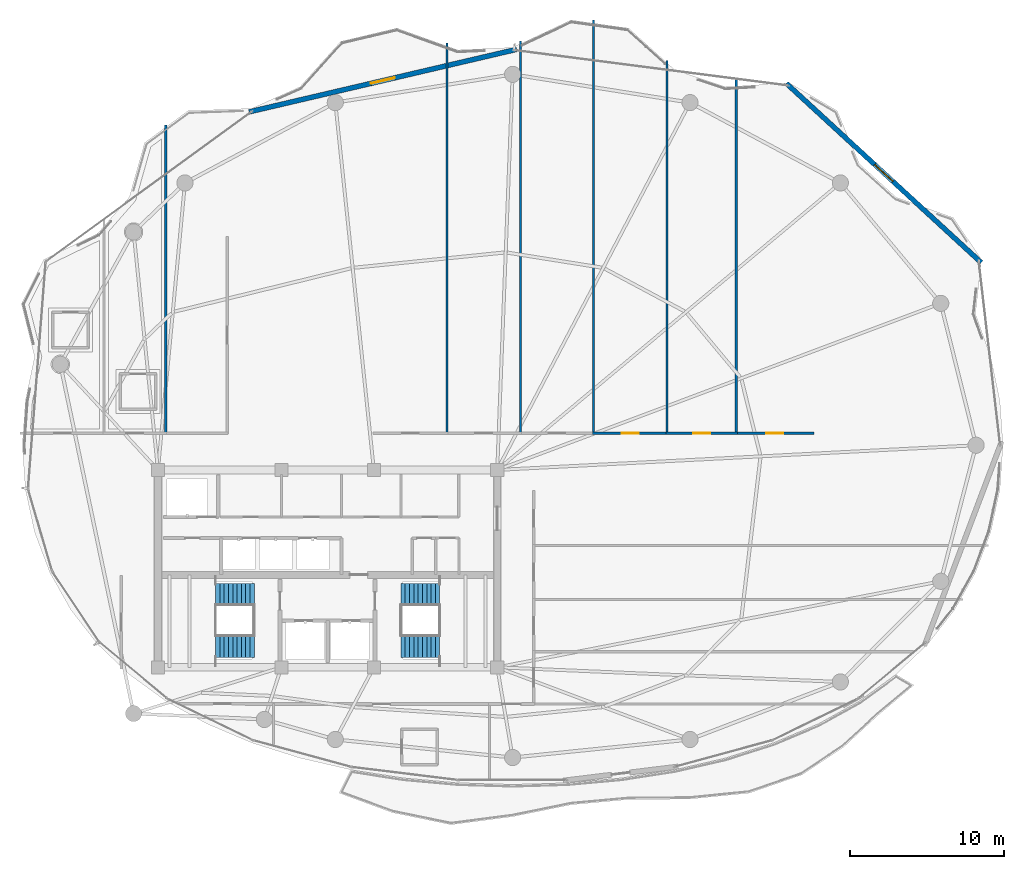
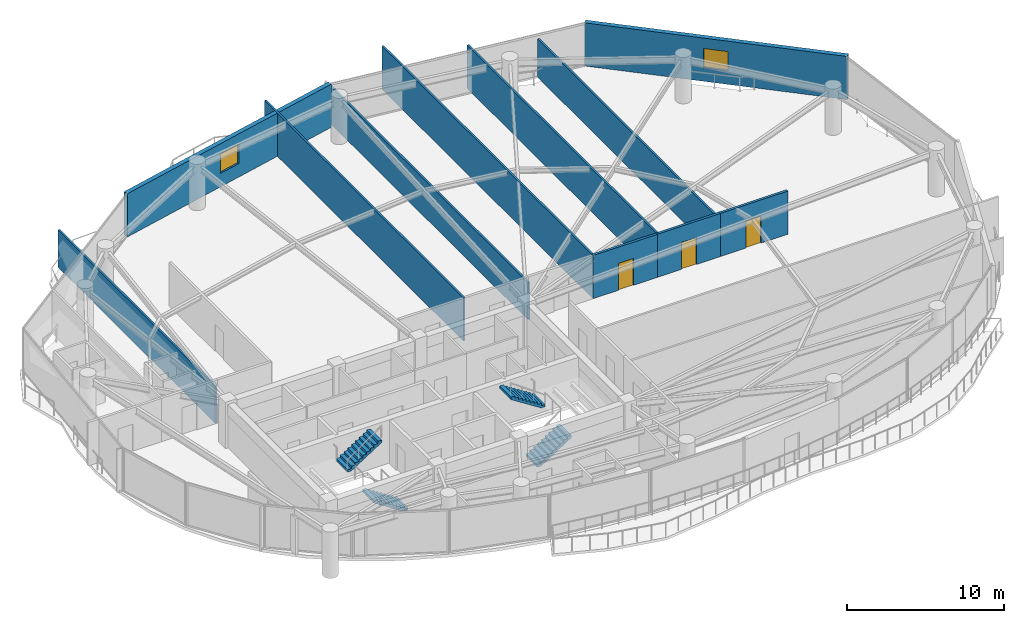
# One storey, part 27 of 31: 11 walls, 4 stair flights, 3 doors, 2 windows, 5 openings, 2 elements without a shape of their own.
"""IFC4 building model written with IfcOpenShell, lengths in metres."""

from ifc_helpers import new_model, si_unit, direction, frame, frame_2d, origin, place, context, subcontext, project, spatial, polyline, rectangle, outline, extrude, material, layer, layer_set, type_object, element, fill, aggregate, save


model = new_model("IFC4")

# Units and contexts
model_context = context("Model", 3, precision=1e-05, world=origin(), true_north=direction((0.0, 1.0)))
body_context = subcontext(model_context, "Body", "Model", "MODEL_VIEW")
ifc_project = project(units=[si_unit("LENGTHUNIT", "METRE"), si_unit("AREAUNIT", "SQUARE_METRE"), si_unit("VOLUMEUNIT", "CUBIC_METRE"), si_unit("PLANEANGLEUNIT", "RADIAN"), si_unit("MASSUNIT", "GRAM", prefix="KILO")], contexts=[model_context])

# Site, building, storey
site_placement = place(None, origin())
site = spatial("IfcSite", under=ifc_project, at=site_placement, CompositionType="ELEMENT")
building_placement = place(site_placement, origin())
building = spatial("IfcBuilding", under=site, at=building_placement, Name="Kazevale Care Tower and Concert Hall", CompositionType="ELEMENT")
storey_placement = place(building_placement, frame((0.0, 0.0, 210.0)))
storey = spatial("IfcBuildingStorey", under=building, at=storey_placement, Name="L55", CompositionType="ELEMENT", Elevation=210.0)

# Walls
ifc_material_1 = material(Name="Acoustic Gypsum on Steel Stud", Category="steel")
ifc_layer_1 = layer(ifc_material_1, 0.139892578125)
ifc_layer_set_1 = layer_set([ifc_layer_1], Name="Acoustic Gypsum on Steel Stud")
wall_type_1 = type_object("IfcWallType", Name="Acoustic Care & Suite Partition 140", PredefinedType="PARTITIONING", material=ifc_layer_set_1)
wall_1_placement = place(storey_placement, frame((22.5, 58.781982421875, 0.0), z_axis=(0.0, 0.0, 1.0), x_axis=(0.0, -1.0, 0.0)))
element("IfcWall", 1, at=wall_1_placement, inside=storey, type_object=wall_type_1, Name="wall:L55:auto_020", PredefinedType="PARTITIONING", context=body_context, shape_type="SweptSolid", body=[
    extrude(rectangle(XDim=20.036865234375, YDim=0.139892578125, at=frame_2d((10.0185546875, 0.0))), origin(), (0.0, 0.0, 1.0), 2.889892578125),
])
wall_2_placement = place(storey_placement, frame((40.75, 64.073974609375, 0.0), z_axis=(0.0, 0.0, 1.0), x_axis=(0.0, -1.0, 0.0)))
element("IfcWall", 2, at=wall_2_placement, inside=storey, type_object=wall_type_1, Name="wall:L55:auto_021", PredefinedType="PARTITIONING", context=body_context, shape_type="SweptSolid", body=[
    extrude(rectangle(XDim=25.328857421875, YDim=0.139892578125, at=frame_2d((12.66455078125, 0.0))), origin(), (0.0, 0.0, 1.0), 3.360107421875),
])
wall_3_placement = place(storey_placement, frame((45.5, 64.216064453125, 0.0), z_axis=(0.0, 0.0, 1.0), x_axis=(0.0, -1.0, 0.0)))
element("IfcWall", 3, at=wall_3_placement, inside=storey, type_object=wall_type_1, Name="wall:L55:auto_022", PredefinedType="PARTITIONING", context=body_context, shape_type="SweptSolid", body=[
    extrude(rectangle(XDim=25.470947265625, YDim=0.139892578125, at=frame_2d((12.7353515625, 0.0))), origin(), (0.0, 0.0, 1.0), 2.889892578125),
])
wall_4_placement = place(storey_placement, frame((50.25, 65.568115234375, 0.0), z_axis=(0.0, 0.0, 1.0), x_axis=(0.0, -1.0, 0.0)))
element("IfcWall", 4, at=wall_4_placement, inside=storey, type_object=wall_type_1, Name="wall:L55:auto_023", PredefinedType="PARTITIONING", context=body_context, shape_type="SweptSolid", body=[
    extrude(rectangle(XDim=26.822998046875, YDim=0.139892578125, at=frame_2d((13.41162109375, 0.0))), origin(), (0.0, 0.0, 1.0), 3.360107421875),
])
wall_5_placement = place(storey_placement, frame((55.0, 62.944091796875, 0.0), z_axis=(0.0, 0.0, 1.0), x_axis=(0.0, -1.0, 0.0)))
element("IfcWall", 5, at=wall_5_placement, inside=storey, type_object=wall_type_1, Name="wall:L55:auto_024", PredefinedType="PARTITIONING", context=body_context, shape_type="SweptSolid", body=[
    extrude(rectangle(XDim=24.198974609375, YDim=0.139892578125, at=frame_2d((12.099609375, 0.0))), origin(), (0.0, 0.0, 1.0), 3.360107421875),
])
wall_6_placement = place(storey_placement, frame((59.5, 61.744873046875, 0.0), z_axis=(0.0, 0.0, 1.0), x_axis=(0.0, -1.0, 0.0)))
element("IfcWall", 6, at=wall_6_placement, inside=storey, type_object=wall_type_1, Name="wall:L55:auto_025", PredefinedType="PARTITIONING", context=body_context, shape_type="SweptSolid", body=[
    extrude(rectangle(XDim=22.999755859375, YDim=0.139892578125, at=frame_2d((11.5, 0.0))), origin(), (0.0, 0.0, 1.0), 2.99609375),
])

# Wall, opening, door
ifc_material_2 = material(Name="Concrete C40 and Acoustic Gypsum", Category="concrete")
ifc_layer_2 = layer(ifc_material_2, 0.179931640625)
ifc_layer_set_2 = layer_set([ifc_layer_2], Name="Concrete C40 and Acoustic Gypsum")
wall_type_2 = type_object("IfcWallType", Name="Fire-Rated Corridor & Party Wall 180", PredefinedType="PARTITIONING", material=ifc_layer_set_2)
wall_7_placement = place(storey_placement, frame((50.18505859375, 38.77490234375, 0.0), z_axis=(0.0, 0.0, 1.0), x_axis=(1.0, 0.0, 0.0)))
wall_7 = element("IfcWall", 7, at=wall_7_placement, inside=storey, type_object=wall_type_2, Name="wall:L55:auto_008", PredefinedType="PARTITIONING", context=body_context, shape_type="SweptSolid", body=[
    extrude(rectangle(XDim=4.8798828125, YDim=0.179931640625, at=frame_2d((2.43994140625, 0.0))), origin(), (0.0, 0.0, 1.0), 3.360107421875),
])
opening_1_placement = place(wall_7_placement, frame((1.889892578125, 0.0, 0.0)))
opening_1 = element("IfcOpeningElement", 8, at=opening_1_placement, cuts=wall_7, Name="Opening ID-1100", PredefinedType="OPENING", context=body_context, shape_type="SweptSolid", body=[
    extrude(rectangle(XDim=1.10009765625, YDim=2.10009765625, at=frame_2d((0.550048828125, 1.050048828125))), frame((0.0, 0.099853515625, 0.0), z_axis=(0.0, -1.0, 0.0), x_axis=(1.0, 0.0, 0.0)), (0.0, 0.0, 1.0), 0.199951171875),
])
ifc_material_3 = material(Name="Oak Timber Fire Leaf", Category="wood")
door_type = type_object("IfcDoorType", Name="Care Bedroom Accessible Door 1100x2100", OperationType="NOTDEFINED", PredefinedType="DOOR", material=ifc_material_3)
door_1_placement = place(opening_1_placement, origin())
door_1 = element("IfcDoor", 9, at=door_1_placement, inside=storey, type_object=door_type, Name="door:L55:ad_008", OperationType="SINGLE_SWING_LEFT", OverallHeight=2.10009765625, OverallWidth=1.10009765625, PredefinedType="DOOR", context=body_context, shape_type="SweptSolid", body=[
    extrude(rectangle(XDim=1.10009765625, YDim=2.10009765625, at=frame_2d((0.550048828125, 1.050048828125))), frame((0.0, 0.02490234375, 0.0), z_axis=(0.0, -1.0, 0.0), x_axis=(1.0, 0.0, 0.0)), (0.0, 0.0, 1.0), 0.050048828125),
])
fill(opening_1, door_1)

wall_8_placement = place(storey_placement, frame((54.93505859375, 38.77490234375, 0.0), z_axis=(0.0, 0.0, 1.0), x_axis=(1.0, 0.0, 0.0)))
wall_8 = element("IfcWall", 10, at=wall_8_placement, inside=storey, type_object=wall_type_2, Name="wall:L55:auto_009", PredefinedType="PARTITIONING", context=body_context, shape_type="SweptSolid", body=[
    extrude(rectangle(XDim=4.6298828125, YDim=0.179931640625, at=frame_2d((2.31494140625, 0.0))), origin(), (0.0, 0.0, 1.0), 3.360107421875),
])
opening_2_placement = place(wall_8_placement, frame((1.764892578125, 0.0, 0.0)))
opening_2 = element("IfcOpeningElement", 11, at=opening_2_placement, cuts=wall_8, Name="Opening ID-1100", PredefinedType="OPENING", context=body_context, shape_type="SweptSolid", body=[
    extrude(rectangle(XDim=1.10009765625, YDim=2.10009765625, at=frame_2d((0.550048828125, 1.050048828125))), frame((0.0, 0.099853515625, 0.0), z_axis=(0.0, -1.0, 0.0), x_axis=(1.0, 0.0, 0.0)), (0.0, 0.0, 1.0), 0.199951171875),
])
door_2_placement = place(opening_2_placement, origin())
door_2 = element("IfcDoor", 12, at=door_2_placement, inside=storey, type_object=door_type, Name="door:L55:ad_009", OperationType="SINGLE_SWING_LEFT", OverallHeight=2.10009765625, OverallWidth=1.10009765625, PredefinedType="DOOR", context=body_context, shape_type="SweptSolid", body=[
    extrude(rectangle(XDim=1.10009765625, YDim=2.10009765625, at=frame_2d((0.550048828125, 1.050048828125))), frame((0.0, 0.02490234375, 0.0), z_axis=(0.0, -1.0, 0.0), x_axis=(1.0, 0.0, 0.0)), (0.0, 0.0, 1.0), 0.050048828125),
])
fill(opening_2, door_2)

wall_9_placement = place(storey_placement, frame((59.43505859375, 38.77490234375, 0.0), z_axis=(0.0, 0.0, 1.0), x_axis=(1.0, 0.0, 0.0)))
wall_9 = element("IfcWall", 13, at=wall_9_placement, inside=storey, type_object=wall_type_2, Name="wall:L55:auto_010", PredefinedType="PARTITIONING", context=body_context, shape_type="SweptSolid", body=[
    extrude(rectangle(XDim=5.094970703125, YDim=0.179931640625, at=frame_2d((2.54736328125, 0.0))), origin(), (0.0, 0.0, 1.0), 3.360107421875),
])
opening_3_placement = place(wall_9_placement, frame((1.9970703125, 0.0, 0.0)))
opening_3 = element("IfcOpeningElement", 14, at=opening_3_placement, cuts=wall_9, Name="Opening ID-1100", PredefinedType="OPENING", context=body_context, shape_type="SweptSolid", body=[
    extrude(rectangle(XDim=1.10009765625, YDim=2.10009765625, at=frame_2d((0.550048828125, 1.050048828125))), frame((0.0, 0.099853515625, 0.0), z_axis=(0.0, -1.0, 0.0), x_axis=(1.0, 0.0, 0.0)), (0.0, 0.0, 1.0), 0.199951171875),
])
door_3_placement = place(opening_3_placement, origin())
door_3 = element("IfcDoor", 15, at=door_3_placement, inside=storey, type_object=door_type, Name="door:L55:ad_010", OperationType="SINGLE_SWING_LEFT", OverallHeight=2.10009765625, OverallWidth=1.10009765625, PredefinedType="DOOR", context=body_context, shape_type="SweptSolid", body=[
    extrude(rectangle(XDim=1.10009765625, YDim=2.10009765625, at=frame_2d((0.550048828125, 1.050048828125))), frame((0.0, 0.02490234375, 0.0), z_axis=(0.0, -1.0, 0.0), x_axis=(1.0, 0.0, 0.0)), (0.0, 0.0, 1.0), 0.050048828125),
])
fill(opening_3, door_3)

# Wall, opening, window
ifc_material_4 = material(Name="Concrete C40 with Honed Limestone Cladding", Category="masonry")
ifc_layer_3 = layer(ifc_material_4, 0.320068359375)
ifc_layer_set_3 = layer_set([ifc_layer_3], Name="Concrete C40 with Honed Limestone Cladding")
wall_type_3 = type_object("IfcWallType", Name="Tower Honed Limestone Spandrel Wall 320", PredefinedType="STANDARD", material=ifc_layer_set_3)
wall_10_placement = place(storey_placement, frame((27.908935546875, 59.616943359375, 0.0), z_axis=(0.0, 0.0, 1.0), x_axis=(0.973753606594, 0.227604731158, 0.0)))
wall_10 = element("IfcWall", 16, at=wall_10_placement, inside=storey, type_object=wall_type_3, Name="wall:L55:cbox:15", PredefinedType="STANDARD", context=body_context, shape_type="SweptSolid", body=[
    extrude(rectangle(XDim=17.816650390625, YDim=0.320068359375, at=frame_2d((8.908203125, 0.0))), origin(), (0.0, 0.0, 1.0), 3.360107421875),
])
opening_4_placement = place(wall_10_placement, frame((8.10888671875, 0.0, 1.050048828125)))
opening_4 = element("IfcOpeningElement", 17, at=opening_4_placement, cuts=wall_10, Name="Opening WIN-1", PredefinedType="OPENING", context=body_context, shape_type="SweptSolid", body=[
    extrude(rectangle(XDim=1.60009765625, YDim=1.5, at=frame_2d((0.800048828125, 0.75))), frame((0.0, 0.169921875, 0.0), z_axis=(0.0, -1.0, 0.0), x_axis=(1.0, 0.0, 0.0)), (0.0, 0.0, 1.0), 0.340087890625),
])
ifc_material_5 = material(Name="Low-E Laminated Glass", Category="glass")
window_type = type_object("IfcWindowType", Name="Convex Box Deep-Set Window 1600x1500", PartitioningType="DOUBLE_PANEL_VERTICAL", PredefinedType="WINDOW", material=ifc_material_5)
window_1_placement = place(opening_4_placement, origin())
window_1 = element("IfcWindow", 18, at=window_1_placement, inside=storey, type_object=window_type, Name="win:L55:cbox:15", OverallHeight=1.5, OverallWidth=1.60009765625, PartitioningType="SINGLE_PANEL", PredefinedType="WINDOW", context=body_context, shape_type="SweptSolid", body=[
    extrude(rectangle(XDim=1.60009765625, YDim=1.5, at=frame_2d((0.800048828125, 0.75))), frame((0.0, 0.030029296875, 0.0), z_axis=(0.0, -1.0, 0.0), x_axis=(1.0, 0.0, 0.0)), (0.0, 0.0, 1.0), 0.06005859375),
])
fill(opening_4, window_1)

wall_11_placement = place(storey_placement, frame((62.7509765625, 61.462890625, 0.0), z_axis=(0.0, 0.0, 1.0), x_axis=(0.736063690764, -0.676912286149, 0.0)))
wall_11 = element("IfcWall", 19, at=wall_11_placement, inside=storey, type_object=wall_type_3, Name="wall:L55:cbox:17", PredefinedType="STANDARD", context=body_context, shape_type="SweptSolid", body=[
    extrude(rectangle(XDim=17.16162109375, YDim=0.320068359375, at=frame_2d((8.580810546875, 0.0))), origin(), (0.0, 0.0, 1.0), 3.360107421875),
])
opening_5_placement = place(wall_11_placement, frame((7.781005859375, 0.0, 1.050048828125)))
opening_5 = element("IfcOpeningElement", 20, at=opening_5_placement, cuts=wall_11, Name="Opening WIN-1", PredefinedType="OPENING", context=body_context, shape_type="SweptSolid", body=[
    extrude(rectangle(XDim=1.60009765625, YDim=1.5, at=frame_2d((0.800048828125, 0.75))), frame((0.0, 0.169921875, 0.0), z_axis=(0.0, -1.0, 0.0), x_axis=(1.0, 0.0, 0.0)), (0.0, 0.0, 1.0), 0.340087890625),
])
window_2_placement = place(opening_5_placement, origin())
window_2 = element("IfcWindow", 21, at=window_2_placement, inside=storey, type_object=window_type, Name="win:L55:cbox:17", OverallHeight=1.5, OverallWidth=1.60009765625, PartitioningType="SINGLE_PANEL", PredefinedType="WINDOW", context=body_context, shape_type="SweptSolid", body=[
    extrude(rectangle(XDim=1.60009765625, YDim=1.5, at=frame_2d((0.800048828125, 0.75))), frame((0.0, 0.030029296875, 0.0), z_axis=(0.0, -1.0, 0.0), x_axis=(1.0, 0.0, 0.0)), (0.0, 0.0, 1.0), 0.06005859375),
])
fill(opening_5, window_2)

# Stair, stair flights
ifc_material_6 = material(Name="Concrete C40", Category="concrete")
stair_type = type_object("IfcStairType", Name="Exit Stair Assembly ST1-Z3", PredefinedType="HALF_TURN_STAIR", material=ifc_material_6)
stair_1_placement = place(storey_placement, origin())
stair_1 = element("IfcStair", 22, at=stair_1_placement, inside=storey, type_object=stair_type, Name="stair:L55:ST1", PredefinedType="HALF_TURN_STAIR")
ifc_layer_4 = layer(ifc_material_6, 0.159912109375)
ifc_layer_set_4 = layer_set([ifc_layer_4], Name="Concrete C40")
stair_flight_type = type_object("IfcStairFlightType", Name="Exit Stair Flight ST1-Z3", PredefinedType="STRAIGHT", material=ifc_layer_set_4)
stair_flight_1_placement = place(storey_placement, frame((28.25, 24.97509765625, 0.0), z_axis=(0.0, 0.0, 1.0), x_axis=(-1.0, 0.0, 0.0)))
stair_flight_1 = element("IfcStairFlight", 23, at=stair_flight_1_placement, type_object=stair_flight_type, Name="ST1-Z3 flight 1", NumberOfRisers=10, NumberOfTreads=9, PredefinedType="STRAIGHT", RiserHeight=0.18, TreadLength=0.28, context=body_context, shape_type="SweptSolid", body=[
    extrude(outline(polyline([(0.0, 0.0), (0.0, 0.179931640625), (0.280029296875, 0.179931640625), (0.280029296875, 0.360107421875), (0.56005859375, 0.360107421875), (0.56005859375, 0.5400390625), (0.840087890625, 0.5400390625), (0.840087890625, 0.719970703125), (1.1201171875, 0.719970703125), (1.1201171875, 0.89990234375), (1.39990234375, 0.89990234375), (1.39990234375, 1.080078125), (1.679931640625, 1.080078125), (1.679931640625, 1.260009765625), (1.9599609375, 1.260009765625), (1.9599609375, 1.43994140625), (2.239990234375, 1.43994140625), (2.239990234375, 1.6201171875), (2.52001953125, 1.6201171875), (2.52001953125, 1.800048828125), (2.52001953125, 1.429931640625), (0.295654296875, 0.0), (0.0, 0.0)])), frame((0.0, 0.72509765625, 0.0), z_axis=(0.0, -1.0, 0.0), x_axis=(1.0, 0.0, 0.0)), (0.0, 0.0, 1.0), 1.449951171875),
])
stair_flight_2_placement = place(storey_placement, frame((25.72998046875, 28.324951171875, 1.800048828125), z_axis=(0.0, 0.0, 1.0), x_axis=(1.0, 0.0, 0.0)))
stair_flight_2 = element("IfcStairFlight", 24, at=stair_flight_2_placement, type_object=stair_flight_type, Name="ST1-Z3 flight 2", NumberOfRisers=10, NumberOfTreads=9, PredefinedType="STRAIGHT", RiserHeight=0.18, TreadLength=0.28, context=body_context, shape_type="SweptSolid", body=[
    extrude(outline(polyline([(0.0, 0.0), (0.0, 0.179931640625), (0.280029296875, 0.179931640625), (0.280029296875, 0.360107421875), (0.56005859375, 0.360107421875), (0.56005859375, 0.5400390625), (0.840087890625, 0.5400390625), (0.840087890625, 0.719970703125), (1.1201171875, 0.719970703125), (1.1201171875, 0.89990234375), (1.39990234375, 0.89990234375), (1.39990234375, 1.080078125), (1.679931640625, 1.080078125), (1.679931640625, 1.260009765625), (1.9599609375, 1.260009765625), (1.9599609375, 1.43994140625), (2.239990234375, 1.43994140625), (2.239990234375, 1.6201171875), (2.52001953125, 1.6201171875), (2.52001953125, 1.800048828125), (2.52001953125, 1.429931640625), (0.295654296875, 0.0), (0.0, 0.0)])), frame((0.0, 0.72509765625, 0.0), z_axis=(0.0, -1.0, 0.0), x_axis=(1.0, 0.0, 0.0)), (0.0, 0.0, 1.0), 1.449951171875),
])
aggregate(stair_1, [stair_flight_1, stair_flight_2])

stair_2_placement = place(storey_placement, origin())
stair_2 = element("IfcStair", 25, at=stair_2_placement, inside=storey, type_object=stair_type, Name="stair:L55:ST2", PredefinedType="HALF_TURN_STAIR")
stair_flight_3_placement = place(storey_placement, frame((37.75, 24.97509765625, 0.0), z_axis=(0.0, 0.0, 1.0), x_axis=(1.0, 0.0, 0.0)))
stair_flight_3 = element("IfcStairFlight", 26, at=stair_flight_3_placement, type_object=stair_flight_type, Name="ST1-Z3 flight 1", NumberOfRisers=10, NumberOfTreads=9, PredefinedType="STRAIGHT", RiserHeight=0.18, TreadLength=0.28, context=body_context, shape_type="SweptSolid", body=[
    extrude(outline(polyline([(0.0, 0.0), (0.0, 0.179931640625), (0.280029296875, 0.179931640625), (0.280029296875, 0.360107421875), (0.56005859375, 0.360107421875), (0.56005859375, 0.5400390625), (0.840087890625, 0.5400390625), (0.840087890625, 0.719970703125), (1.1201171875, 0.719970703125), (1.1201171875, 0.89990234375), (1.39990234375, 0.89990234375), (1.39990234375, 1.080078125), (1.679931640625, 1.080078125), (1.679931640625, 1.260009765625), (1.9599609375, 1.260009765625), (1.9599609375, 1.43994140625), (2.239990234375, 1.43994140625), (2.239990234375, 1.6201171875), (2.52001953125, 1.6201171875), (2.52001953125, 1.800048828125), (2.52001953125, 1.429931640625), (0.295654296875, 0.0), (0.0, 0.0)])), frame((0.0, 0.72509765625, 0.0), z_axis=(0.0, -1.0, 0.0), x_axis=(1.0, 0.0, 0.0)), (0.0, 0.0, 1.0), 1.449951171875),
])
stair_flight_4_placement = place(storey_placement, frame((40.27001953125, 28.324951171875, 1.800048828125), z_axis=(0.0, 0.0, 1.0), x_axis=(-1.0, 0.0, 0.0)))
stair_flight_4 = element("IfcStairFlight", 27, at=stair_flight_4_placement, type_object=stair_flight_type, Name="ST1-Z3 flight 2", NumberOfRisers=10, NumberOfTreads=9, PredefinedType="STRAIGHT", RiserHeight=0.18, TreadLength=0.28, context=body_context, shape_type="SweptSolid", body=[
    extrude(outline(polyline([(0.0, 0.0), (0.0, 0.179931640625), (0.280029296875, 0.179931640625), (0.280029296875, 0.360107421875), (0.56005859375, 0.360107421875), (0.56005859375, 0.5400390625), (0.840087890625, 0.5400390625), (0.840087890625, 0.719970703125), (1.1201171875, 0.719970703125), (1.1201171875, 0.89990234375), (1.39990234375, 0.89990234375), (1.39990234375, 1.080078125), (1.679931640625, 1.080078125), (1.679931640625, 1.260009765625), (1.9599609375, 1.260009765625), (1.9599609375, 1.43994140625), (2.239990234375, 1.43994140625), (2.239990234375, 1.6201171875), (2.52001953125, 1.6201171875), (2.52001953125, 1.800048828125), (2.52001953125, 1.429931640625), (0.295654296875, 0.0), (0.0, 0.0)])), frame((0.0, 0.72509765625, 0.0), z_axis=(0.0, -1.0, 0.0), x_axis=(1.0, 0.0, 0.0)), (0.0, 0.0, 1.0), 1.449951171875),
])
aggregate(stair_2, [stair_flight_3, stair_flight_4])

save(model, "model.ifc")
